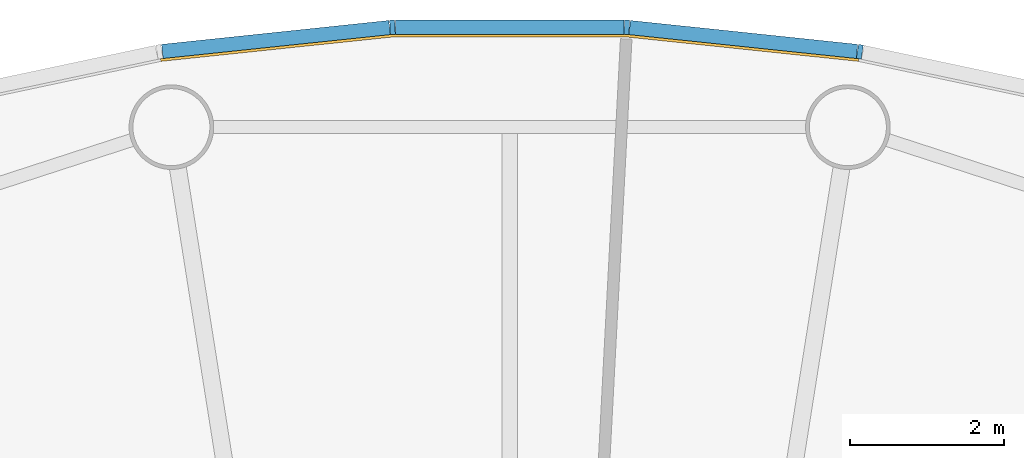
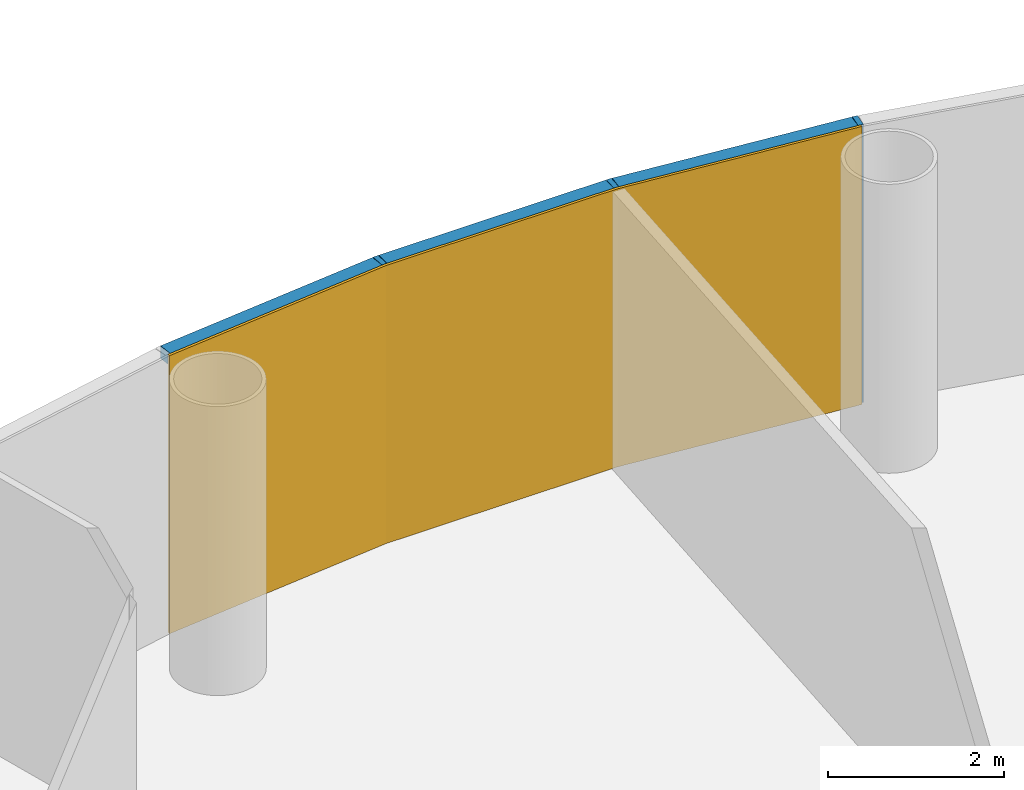
# One storey, part 11 of 13: 6 members, 1 curtain wall.
"""IFC4 building model written with IfcOpenShell, lengths in metres."""

from ifc_helpers import new_model, si_unit, direction, frame, origin, origin_2d, place, context, subcontext, project, spatial, polyline, rectangle, outline, extrude, material, layer, layer_set, material_profile, profile_set, type_object, element, aggregate, save


model = new_model("IFC4")

# Units and contexts
model_context = context("Model", 3, precision=1e-05, world=origin(), true_north=direction((0.0, 1.0)))
body_context = subcontext(model_context, "Body", "Model", "MODEL_VIEW")
ifc_project = project(units=[si_unit("LENGTHUNIT", "METRE"), si_unit("AREAUNIT", "SQUARE_METRE"), si_unit("VOLUMEUNIT", "CUBIC_METRE"), si_unit("PLANEANGLEUNIT", "RADIAN"), si_unit("MASSUNIT", "GRAM", prefix="KILO")], contexts=[model_context])

# Member
ifc_material_1 = material(Name="Anodised aluminium", Category="aluminium")
ifc_material_profile_1 = material_profile(ifc_material_1, rectangle(XDim=0.06494140625, YDim=0.18505859375, at=origin_2d()), Name="Mullion 65 x 185 mm anodised aluminium")
ifc_profile_set_1 = profile_set([ifc_material_profile_1], Name="Anodised aluminium")
member_type_1 = type_object("IfcMemberType", Name="Mullion 65 x 185 mm anodised aluminium", PredefinedType="MULLION", material=ifc_profile_set_1)
site_placement = place(None, origin())
building_placement = place(site_placement, origin())
storey_placement = place(building_placement, frame((0.0, 0.0, 172.0)))
member_1_placement = place(storey_placement, frame((94.551025390625, 108.734375, 0.0), z_axis=(0.0, 0.0, 1.0), x_axis=(-0.987688340595, 0.15643446504, 0.0)))
member_1 = element("IfcMember", 1, at=member_1_placement, type_object=member_type_1, Name="MULLION L39-12", PredefinedType="MULLION", context=body_context, shape_type="SweptSolid", body=[
    extrude(rectangle(XDim=0.06494140625, YDim=0.18505859375, at=origin_2d()), origin(), (0.0, 0.0, 1.0), 3.85009765625),
])

member_2_placement = place(storey_placement, frame((91.522705078125, 109.052734375, 0.0), z_axis=(0.0, 0.0, 1.0), x_axis=(-0.998629534755, 0.052335956243, 0.0)))
member_2 = element("IfcMember", 2, at=member_2_placement, type_object=member_type_1, Name="MULLION L39-13", PredefinedType="MULLION", context=body_context, shape_type="SweptSolid", body=[
    extrude(rectangle(XDim=0.06494140625, YDim=0.18505859375, at=origin_2d()), origin(), (0.0, 0.0, 1.0), 3.85009765625),
])

member_3_placement = place(storey_placement, frame((88.477294921875, 109.052734375, 0.0), z_axis=(0.0, 0.0, 1.0), x_axis=(-0.998629534755, -0.052335956243, 0.0)))
member_3 = element("IfcMember", 3, at=member_3_placement, type_object=member_type_1, Name="MULLION L39-14", PredefinedType="MULLION", context=body_context, shape_type="SweptSolid", body=[
    extrude(rectangle(XDim=0.06494140625, YDim=0.18505859375, at=origin_2d()), origin(), (0.0, 0.0, 1.0), 3.85009765625),
])

ifc_material_2 = material(Name="Anodised aluminium", Category="aluminium")
ifc_material_profile_2 = material_profile(ifc_material_2, rectangle(XDim=0.18505859375, YDim=0.175048828125, at=origin_2d()), Name="Transom 175 x 185 mm anodised aluminium")
ifc_profile_set_2 = profile_set([ifc_material_profile_2], Name="Anodised aluminium")
member_type_2 = type_object("IfcMemberType", Name="Transom 175 x 185 mm anodised aluminium", PredefinedType="USERDEFINED", material=ifc_profile_set_2)
member_4_placement = place(storey_placement, frame((94.513916015625, 108.73828125, 3.762451171875), z_axis=(-0.994519855197, 0.104547872381, 0.0), x_axis=(-0.104547872381, -0.994519855197, 0.0)))
member_4 = element("IfcMember", 4, at=member_4_placement, type_object=member_type_2, Name="TRANSOM L39-12", ObjectType="TRANSOM", PredefinedType="USERDEFINED", context=body_context, shape_type="SweptSolid", body=[
    extrude(rectangle(XDim=0.18505859375, YDim=0.175048828125, at=origin_2d()), origin(), (0.0, 0.0, 1.0), 2.970458984375),
])

member_5_placement = place(storey_placement, frame((91.4853515625, 109.052734375, 3.762451171875), z_axis=(-1.0, 0.0, 0.0), x_axis=(0.0, -1.0, 0.0)))
member_5 = element("IfcMember", 5, at=member_5_placement, type_object=member_type_2, Name="TRANSOM L39-13", ObjectType="TRANSOM", PredefinedType="USERDEFINED", context=body_context, shape_type="SweptSolid", body=[
    extrude(rectangle(XDim=0.18505859375, YDim=0.175048828125, at=origin_2d()), origin(), (0.0, 0.0, 1.0), 2.970703125),
])

member_6_placement = place(storey_placement, frame((88.440185546875, 109.048828125, 3.762451171875), z_axis=(-0.994519855197, -0.104547872381, 0.0), x_axis=(0.104547872381, -0.994519855197, 0.0)))
member_6 = element("IfcMember", 6, at=member_6_placement, type_object=member_type_2, Name="TRANSOM L39-14", ObjectType="TRANSOM", PredefinedType="USERDEFINED", context=body_context, shape_type="SweptSolid", body=[
    extrude(rectangle(XDim=0.18505859375, YDim=0.175048828125, at=origin_2d()), origin(), (0.0, 0.0, 1.0), 2.970458984375),
])

# Site, building, storey
site = spatial("IfcSite", under=ifc_project, at=site_placement, CompositionType="ELEMENT")
building = spatial("IfcBuilding", under=site, at=building_placement, Name="Entoto Ring Tower", CompositionType="ELEMENT")
storey = spatial("IfcBuildingStorey", under=building, at=storey_placement, Name="L39", CompositionType="ELEMENT", Elevation=172.0)

# Curtain wall
ifc_material_3 = material(Name="Clear low-iron glass", Category="glass")
ifc_layer = layer(ifc_material_3, 0.033935546875)
ifc_layer_set = layer_set([ifc_layer], Name="Clear low-iron glass")
curtain_wall_type = type_object("IfcCurtainWallType", Name="Curtain wall system CW3 glazing 34 mm", PredefinedType="NOTDEFINED", material=ifc_layer_set)
curtain_wall_placement = place(storey_placement, origin())
curtain_wall = element("IfcCurtainWall", 7, at=curtain_wall_placement, inside=storey, type_object=curtain_wall_type, Name="CW3 L39-05", PredefinedType="NOTDEFINED", context=body_context, shape_type="SweptSolid", body=[
    extrude(outline(polyline([(94.53662109375, 108.64306640625), (91.517822265625, 108.960205078125), (88.482177734375, 108.960205078125), (85.46337890625, 108.64306640625), (85.46875, 108.609375), (88.484130859375, 108.92626953125), (91.515869140625, 108.92626953125), (94.53125, 108.609375), (94.53662109375, 108.64306640625)])), origin(), (0.0, 0.0, 1.0), 3.85009765625),
])

aggregate(curtain_wall, [member_1, member_2, member_3, member_4, member_5, member_6])

save(model, "model.ifc")
